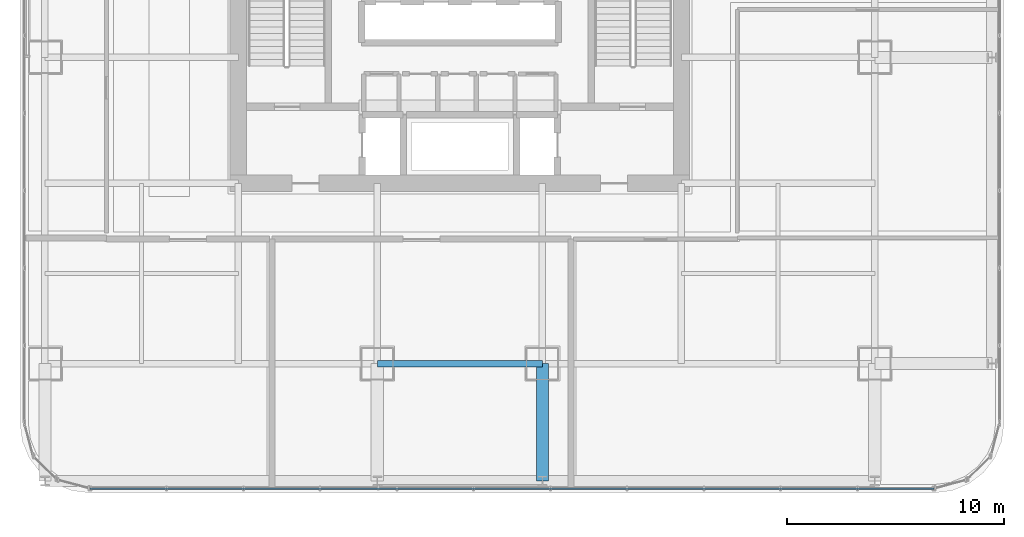
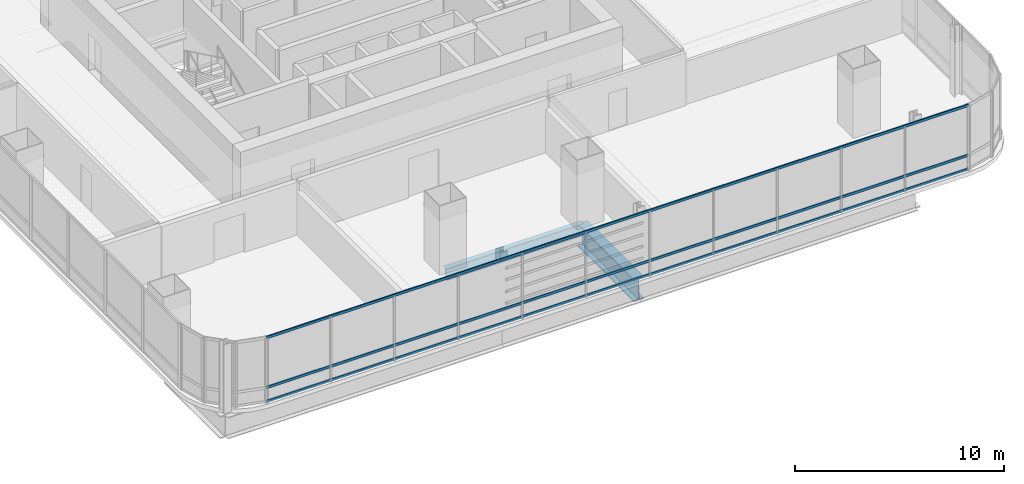
# One storey, part 5 of 34: 3 members, 2 beams, 1 element without a shape of its own.
"""IFC4 building model written with IfcOpenShell, lengths in metres."""

from ifc_helpers import new_model, si_unit, direction, frame, origin, origin_2d, place, context, subcontext, project, spatial, hollow_rectangle, i_section, extrude, material, material_profile, profile_set, type_object, element, aggregate, save


model = new_model("IFC4")

# Units and contexts
model_context = context("Model", 3, precision=1e-05, world=origin(), true_north=direction((0.0, 1.0)))
body_context = subcontext(model_context, "Body", "Model", "MODEL_VIEW")
ifc_project = project(units=[si_unit("LENGTHUNIT", "METRE"), si_unit("AREAUNIT", "SQUARE_METRE"), si_unit("VOLUMEUNIT", "CUBIC_METRE"), si_unit("PLANEANGLEUNIT", "RADIAN"), si_unit("MASSUNIT", "GRAM", prefix="KILO")], contexts=[model_context])

# Site, building, storey
site_placement = place(None, origin())
site = spatial("IfcSite", under=ifc_project, at=site_placement, CompositionType="ELEMENT")
building_placement = place(site_placement, origin())
building = spatial("IfcBuilding", under=site, at=building_placement, Name="Punatoya Terracotta Tower", CompositionType="ELEMENT")
storey_placement = place(building_placement, frame((0.0, 0.0, 80.85009765625)))
storey = spatial("IfcBuildingStorey", under=building, at=storey_placement, Name="L18", CompositionType="ELEMENT", Elevation=80.85009765625)

# Beams
ifc_material_1 = material(Name="Steel S355", Category="steel")
ifc_material_profile_1 = material_profile(ifc_material_1, i_section(OverallWidth=0.300048828125, OverallDepth=0.699951171875, WebThickness=0.01708984375, FlangeThickness=0.031982421875, FilletRadius=0.01806640625, at=origin_2d()))
ifc_profile_set_1 = profile_set([ifc_material_profile_1], Name="Steel S355")
beam_type_1 = type_object("IfcBeamType", Name="BM-PRI-700", PredefinedType="BEAM", material=ifc_profile_set_1)
beam_1_placement = place(storey_placement, frame((-3.800048828125, -17.5, -0.590087890625), z_axis=(1.0, 0.0, 0.0), x_axis=(0.0, 1.0, 0.0)))
element("IfcBeam", 1, at=beam_1_placement, inside=storey, type_object=beam_type_1, Name="BM-L18-RG-S2", PredefinedType="BEAM", context=body_context, shape_type="SweptSolid", body=[
    extrude(i_section(OverallWidth=0.300048828125, OverallDepth=0.699951171875, WebThickness=0.01708984375, FlangeThickness=0.031982421875, FilletRadius=0.01806640625, at=origin_2d()), origin(), (0.0, 0.0, 1.0), 7.60009765625),
])
ifc_material_2 = material(Name="Steel S460", Category="steel")
ifc_material_profile_2 = material_profile(ifc_material_2, i_section(OverallWidth=0.56005859375, OverallDepth=1.320068359375, WebThickness=0.035888671875, FlangeThickness=0.054931640625, FilletRadius=0.01806640625, at=origin_2d()))
ifc_profile_set_2 = profile_set([ifc_material_profile_2], Name="Steel S460")
beam_type_2 = type_object("IfcBeamType", Name="BM-TG-BLK", PredefinedType="BEAM", material=ifc_profile_set_2)
beam_2_placement = place(storey_placement, frame((3.800048828125, -22.89990234375, -0.900146484375), z_axis=(0.0, 1.0, 0.0), x_axis=(-1.0, 0.0, 0.0)))
element("IfcBeam", 2, at=beam_2_placement, inside=storey, type_object=beam_type_2, Name="BM-L18-CANT-S3", PredefinedType="BEAM", context=body_context, shape_type="SweptSolid", body=[
    extrude(i_section(OverallWidth=0.56005859375, OverallDepth=1.320068359375, WebThickness=0.035888671875, FlangeThickness=0.054931640625, FilletRadius=0.01806640625, at=origin_2d()), origin(), (0.0, 0.0, 1.0), 5.39990234375),
])

# Curtain wall, members
ifc_material_3 = material(Name="Aluminium 6063-T6 + Double Low-E Glass", Category="aluminium")
curtain_wall_type = type_object("IfcCurtainWallType", Name="CW-M1", PredefinedType="NOTDEFINED", material=ifc_material_3)
curtain_wall_placement = place(storey_placement, origin())
curtain_wall = element("IfcCurtainWall", 3, at=curtain_wall_placement, inside=storey, type_object=curtain_wall_type, Name="L18 Curtain Wall CW-L18-S01-1", PredefinedType="NOTDEFINED")
ifc_material_4 = material(Name="Aluminium 6063-T6", Category="aluminium")
ifc_material_profile_3 = material_profile(ifc_material_4, hollow_rectangle(XDim=0.068115234375, YDim=0.14990234375, WallThickness=0.00390625, at=origin_2d()))
ifc_profile_set_3 = profile_set([ifc_material_profile_3], Name="Aluminium 6063-T6")
member_type = type_object("IfcMemberType", Name="CW-TRN-TYP", PredefinedType="USERDEFINED", material=ifc_profile_set_3)
member_1_placement = place(storey_placement, frame((-17.036865234375, -23.25, 0.039794921875), z_axis=(1.0, 0.0, 0.0), x_axis=(0.0, 1.0, 0.0)))
member_1 = element("IfcMember", 4, at=member_1_placement, type_object=member_type, Name="CW-L18-S01-1 Transom 1", ObjectType="TRANSOM", PredefinedType="USERDEFINED", context=body_context, shape_type="SweptSolid", body=[
    extrude(hollow_rectangle(XDim=0.068115234375, YDim=0.14990234375, WallThickness=0.00390625, at=origin_2d()), origin(), (0.0, 0.0, 1.0), 38.873779296875),
])
member_2_placement = place(storey_placement, frame((-17.036865234375, -23.25, 0.849853515625), z_axis=(1.0, 0.0, 0.0), x_axis=(0.0, 1.0, 0.0)))
member_2 = element("IfcMember", 5, at=member_2_placement, type_object=member_type, Name="CW-L18-S01-1 Transom 2", ObjectType="TRANSOM", PredefinedType="USERDEFINED", context=body_context, shape_type="SweptSolid", body=[
    extrude(hollow_rectangle(XDim=0.068115234375, YDim=0.14990234375, WallThickness=0.00390625, at=origin_2d()), origin(), (0.0, 0.0, 1.0), 38.873779296875),
])
member_3_placement = place(storey_placement, frame((-17.036865234375, -23.25, 3.77001953125), z_axis=(1.0, 0.0, 0.0), x_axis=(0.0, 1.0, 0.0)))
member_3 = element("IfcMember", 6, at=member_3_placement, type_object=member_type, Name="CW-L18-S01-1 Transom 3", ObjectType="TRANSOM", PredefinedType="USERDEFINED", context=body_context, shape_type="SweptSolid", body=[
    extrude(hollow_rectangle(XDim=0.068115234375, YDim=0.14990234375, WallThickness=0.00390625, at=origin_2d()), origin(), (0.0, 0.0, 1.0), 38.873779296875),
])
aggregate(curtain_wall, [member_1, member_2, member_3])

save(model, "model.ifc")
